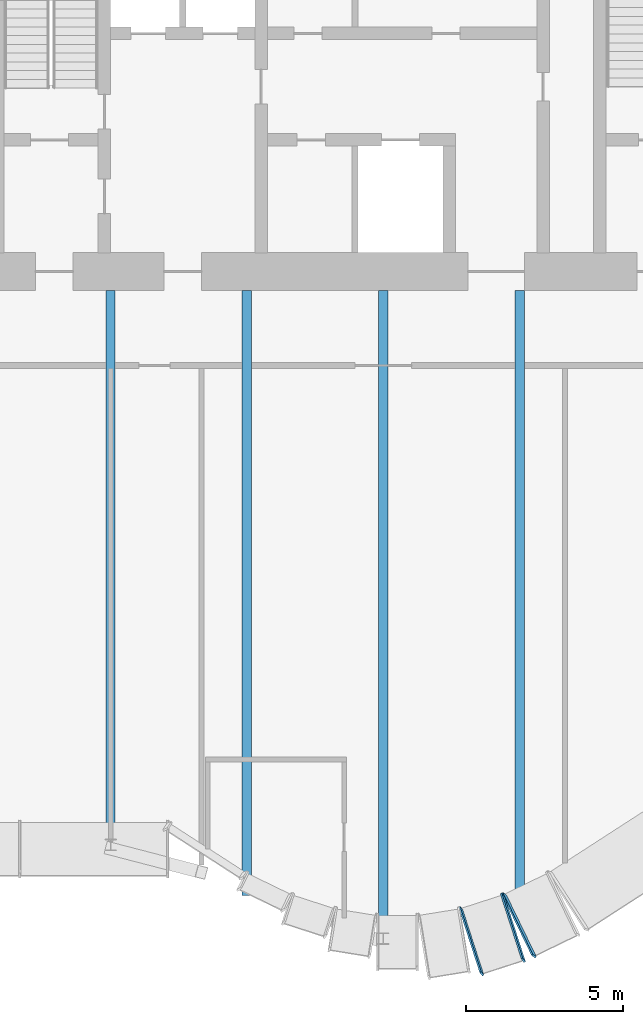
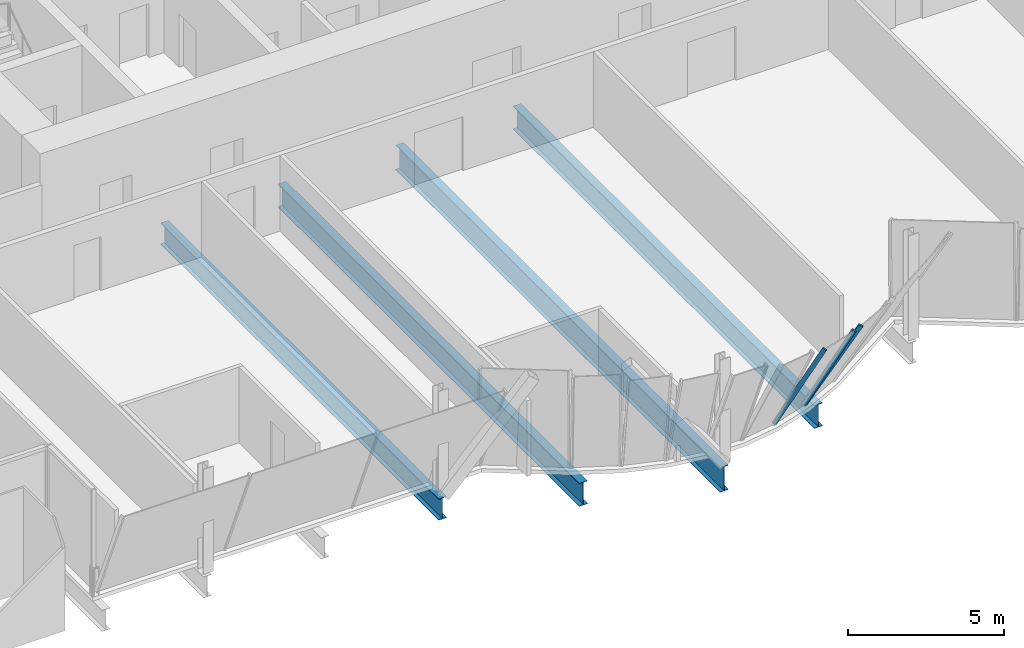
# One storey, part 6 of 29: 4 beams, 3 members, 2 elements without a shape of their own.
"""IFC4 building model written with IfcOpenShell, lengths in metres."""

from ifc_helpers import new_model, si_unit, direction, frame, origin, origin_2d, place, context, subcontext, project, spatial, rectangle, i_section, extrude, material, material_profile, profile_set, type_object, element, aggregate, save


model = new_model("IFC4")

# Units and contexts
model_context = context("Model", 3, precision=1e-05, world=origin(), true_north=direction((0.0, 1.0)))
body_context = subcontext(model_context, "Body", "Model", "MODEL_VIEW")
ifc_project = project(units=[si_unit("LENGTHUNIT", "METRE"), si_unit("AREAUNIT", "SQUARE_METRE"), si_unit("VOLUMEUNIT", "CUBIC_METRE"), si_unit("PLANEANGLEUNIT", "RADIAN"), si_unit("MASSUNIT", "GRAM", prefix="KILO")], contexts=[model_context])

# Site, building, storey
site_placement = place(None, origin())
site = spatial("IfcSite", under=ifc_project, at=site_placement, CompositionType="ELEMENT")
building_placement = place(site_placement, origin())
building = spatial("IfcBuilding", under=site, at=building_placement, Name="Bicima Exchange Tower", CompositionType="ELEMENT")
storey_placement = place(building_placement, frame((0.0, 0.0, 190.89990234375)))
storey = spatial("IfcBuildingStorey", under=building, at=storey_placement, Name="L42", CompositionType="ELEMENT", Elevation=190.89990234375)

# Beams
ifc_material_1 = material(Name="Steel ASTM A992 Gr 50", Category="steel")
ifc_material_profile_1 = material_profile(ifc_material_1, i_section(OverallWidth=0.2919921875, OverallDepth=0.835693359375, WebThickness=0.013916015625, FlangeThickness=0.018798828125, at=origin_2d()))
ifc_profile_set_1 = profile_set([ifc_material_profile_1], Name="Steel ASTM A992 Gr 50")
beam_type_1 = type_object("IfcBeamType", Name="Floor beam W33x118", PredefinedType="JOIST", material=ifc_profile_set_1)
beam_1_placement = place(storey_placement, frame((-17.39990234375, -13.0, -0.567626953125), z_axis=(0.0, -1.0, 0.0), x_axis=(1.0, 0.0, 0.0)))
element("IfcBeam", 1, at=beam_1_placement, inside=storey, type_object=beam_type_1, Name="Floor beam", PredefinedType="JOIST", context=body_context, shape_type="SweptSolid", body=[
    extrude(i_section(OverallWidth=0.2919921875, OverallDepth=0.835693359375, WebThickness=0.013916015625, FlangeThickness=0.018798828125, at=origin_2d()), origin(), (0.0, 0.0, 1.0), 17.81591796875),
])
ifc_material_profile_2 = material_profile(ifc_material_1, i_section(OverallWidth=0.3046875, OverallDepth=0.904296875, WebThickness=0.01513671875, FlangeThickness=0.02001953125, at=origin_2d()))
ifc_profile_set_2 = profile_set([ifc_material_profile_2], Name="Steel ASTM A992 Gr 50")
beam_type_2 = type_object("IfcBeamType", Name="Floor beam W36x135", PredefinedType="JOIST", material=ifc_profile_set_2)
for number, where, z_axis, x_axis, name in (
    (2, (-13.050048828125, -13.0, -0.60205078125), (0.0, -1.0, 0.0), (1.0, 0.0, 0.0), "Floor beam"),
    (3, (-4.35009765625, -13.0, -0.60205078125), (0.0, -1.0, 0.0), (1.0, 0.0, 0.0), "Floor beam"),
):
    element("IfcBeam", number, at=place(storey_placement, frame(where, z_axis=z_axis, x_axis=x_axis)), inside=storey, type_object=beam_type_2, Name=name, PredefinedType="JOIST", context=body_context, shape_type="SweptSolid", body=[
        extrude(i_section(OverallWidth=0.3046875, OverallDepth=0.904296875, WebThickness=0.01513671875, FlangeThickness=0.02001953125, at=origin_2d()), origin(), (0.0, 0.0, 1.0), 19.3115234375),
    ])
ifc_material_profile_3 = material_profile(ifc_material_1, i_section(OverallWidth=0.2998046875, OverallDepth=0.97021484375, WebThickness=0.01611328125, FlangeThickness=0.02099609375, at=origin_2d()))
ifc_profile_set_3 = profile_set([ifc_material_profile_3], Name="Steel ASTM A992 Gr 50")
beam_type_3 = type_object("IfcBeamType", Name="Floor beam W40x149", PredefinedType="JOIST", material=ifc_profile_set_3)
beam_2_placement = place(storey_placement, frame((-8.699951171875, -13.0, -0.635009765625), z_axis=(0.0, -1.0, 0.0), x_axis=(1.0, 0.0, 0.0)))
element("IfcBeam", 4, at=beam_2_placement, inside=storey, type_object=beam_type_3, Name="Floor beam", PredefinedType="JOIST", context=body_context, shape_type="SweptSolid", body=[
    extrude(i_section(OverallWidth=0.2998046875, OverallDepth=0.97021484375, WebThickness=0.01611328125, FlangeThickness=0.02099609375, at=origin_2d()), origin(), (0.0, 0.0, 1.0), 20.80712890625),
])

# Curtain wall, members
ifc_material_2 = material(Name="Anodised bronze aluminium", Category="aluminium")
curtain_wall_type = type_object("IfcCurtainWallType", Name="Front glass wall", PredefinedType="NOTDEFINED", material=ifc_material_2)
curtain_wall_1_placement = place(storey_placement, origin())
curtain_wall_1 = element("IfcCurtainWall", 5, at=curtain_wall_1_placement, inside=storey, type_object=curtain_wall_type, Name="Canted glass wall L42 42.1", PredefinedType="NOTDEFINED")
ifc_material_profile_4 = material_profile(ifc_material_2, rectangle(XDim=0.159912109375, YDim=0.06005859375, at=origin_2d()))
ifc_profile_set_4 = profile_set([ifc_material_profile_4], Name="Anodised bronze aluminium")
member_type = type_object("IfcMemberType", Name="Front glass wall mullion 60 x 160", PredefinedType="MULLION", material=ifc_profile_set_4)
member_1_placement = place(storey_placement, frame((-6.230224609375, -32.72412109375, 0.0), z_axis=(0.149085846677, -0.461312043344, 0.874622552297), x_axis=(-0.548603486377, 0.697305738941, 0.461301334459)))
member_1 = element("IfcMember", 6, at=member_1_placement, type_object=member_type, Name="Canted glass mullion 1", PredefinedType="MULLION", context=body_context, shape_type="SweptSolid", body=[
    extrude(rectangle(XDim=0.159912109375, YDim=0.06005859375, at=origin_2d()), origin(), (0.0, 0.0, 1.0), 4.516357421875),
])
member_2_placement = place(storey_placement, frame((-4.90234375, -32.294921875, 0.0), z_axis=(0.149085846677, -0.461312043344, 0.874622552297), x_axis=(-0.548603486377, 0.697305738941, 0.461301334459)))
member_2 = element("IfcMember", 7, at=member_2_placement, type_object=member_type, Name="Canted glass mullion 2", PredefinedType="MULLION", context=body_context, shape_type="SweptSolid", body=[
    extrude(rectangle(XDim=0.159912109375, YDim=0.06005859375, at=origin_2d()), origin(), (0.0, 0.0, 1.0), 4.516357421875),
])
aggregate(curtain_wall_1, [member_1, member_2])

# Curtain wall, member
curtain_wall_2_placement = place(storey_placement, origin())
curtain_wall_2 = element("IfcCurtainWall", 8, at=curtain_wall_2_placement, inside=storey, type_object=curtain_wall_type, Name="Canted glass wall L42 43.1", PredefinedType="NOTDEFINED")
member_3_placement = place(storey_placement, frame((-4.8466796875, -32.272705078125, 0.0), z_axis=(0.211468405272, -0.436234670385, 0.874631594402), x_axis=(-0.735862958837, 0.517894230961, 0.436223877554)))
member_3 = element("IfcMember", 9, at=member_3_placement, type_object=member_type, Name="Canted glass mullion 1", PredefinedType="MULLION", context=body_context, shape_type="SweptSolid", body=[
    extrude(rectangle(XDim=0.159912109375, YDim=0.06005859375, at=origin_2d()), origin(), (0.0, 0.0, 1.0), 4.516357421875),
])
aggregate(curtain_wall_2, [member_3])

save(model, "model.ifc")
